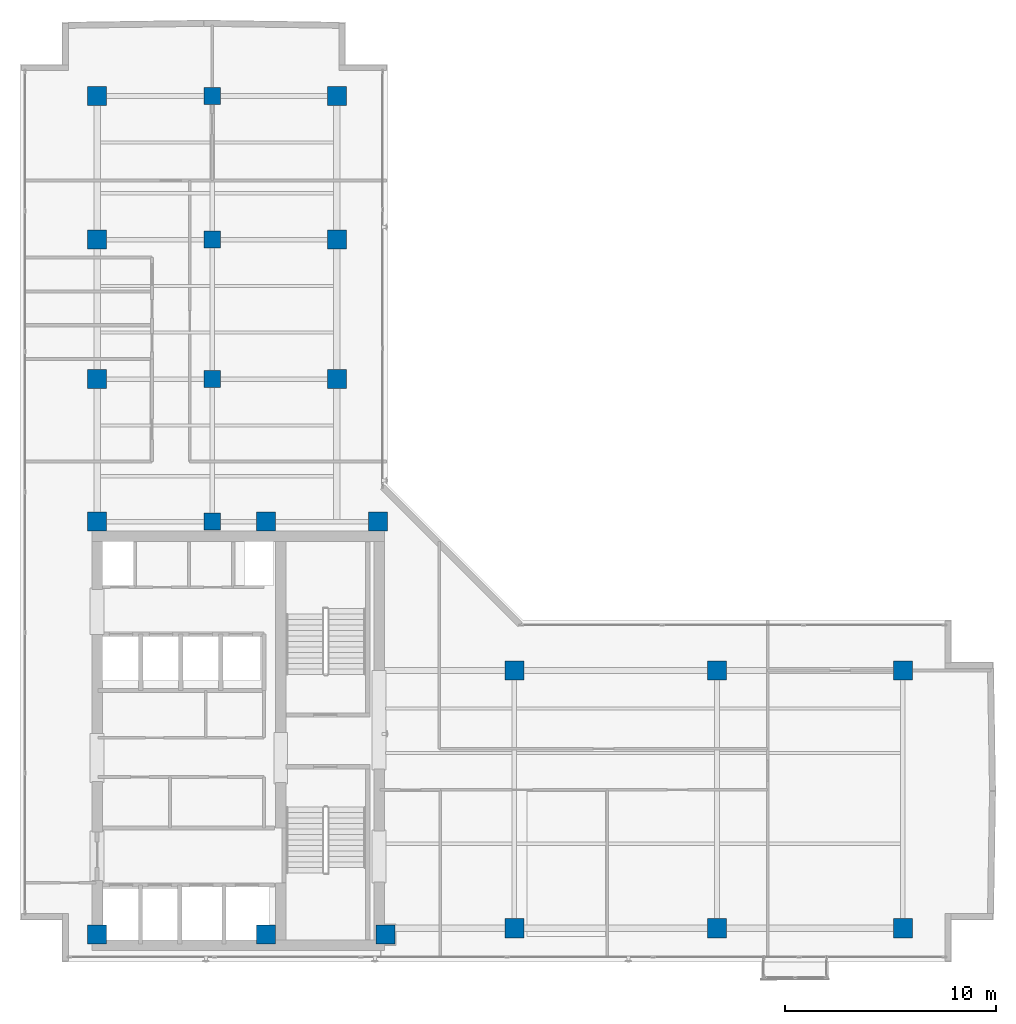
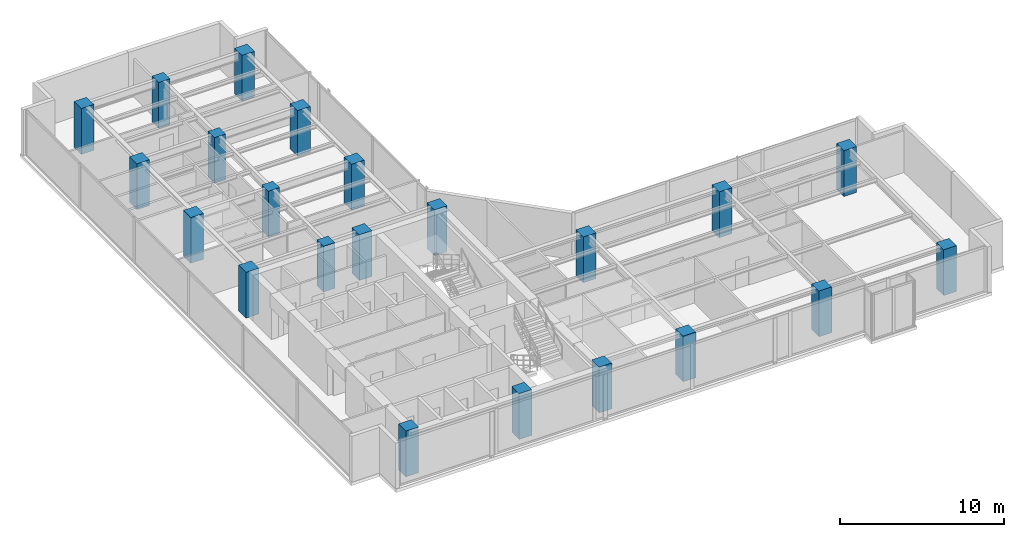
# One storey, part 1 of 23: 22 columns.
"""IFC4 building model written with IfcOpenShell, lengths in metres."""

from ifc_helpers import new_model, si_unit, direction, frame, origin, origin_2d, place, context, subcontext, project, spatial, rectangle, extrude, material, material_profile, profile_set, type_object, element, save


model = new_model("IFC4")

# Units and contexts
model_context = context("Model", 3, precision=1e-05, world=origin(), true_north=direction((0.0, 1.0)))
body_context = subcontext(model_context, "Body", "Model", "MODEL_VIEW")
ifc_project = project(units=[si_unit("LENGTHUNIT", "METRE"), si_unit("AREAUNIT", "SQUARE_METRE"), si_unit("VOLUMEUNIT", "CUBIC_METRE"), si_unit("PLANEANGLEUNIT", "RADIAN"), si_unit("MASSUNIT", "GRAM", prefix="KILO")], contexts=[model_context])

# Site, building, storey
site_placement = place(None, origin())
site = spatial("IfcSite", under=ifc_project, at=site_placement, CompositionType="ELEMENT")
building_placement = place(site_placement, origin())
building = spatial("IfcBuilding", under=site, at=building_placement, Name="Kolvaren Waterfront Exchange", CompositionType="ELEMENT")
storey_placement = place(building_placement, frame((0.0, 0.0, 335.0)))
storey = spatial("IfcBuildingStorey", under=building, at=storey_placement, Name="L86", CompositionType="ELEMENT", Elevation=335.0)

# Columns
ifc_material = material(Name="Concrete C50/60", Category="concrete")
ifc_material_profile_1 = material_profile(ifc_material, rectangle(XDim=0.800048828125, YDim=0.800048828125, at=origin_2d()), Name="RC-COL-800x800")
ifc_profile_set_1 = profile_set([ifc_material_profile_1], Name="Concrete C50/60")
column_type_1 = type_object("IfcColumnType", Name="STR-COL-800-C50", PredefinedType="COLUMN", material=ifc_profile_set_1)
for number, where, z_axis, x_axis, name in (
    (1, (12.89990234375, 24.449951171875, 0.0), (0.0, 0.0, 1.0), (1.0, 0.0, 0.0), "L86 column TC01"),
    (2, (12.89990234375, 31.199951171875, 0.0), (0.0, 0.0, 1.0), (1.0, 0.0, 0.0), "L86 column TC02"),
    (3, (12.89990234375, 37.800048828125, 0.0), (0.0, 0.0, 1.0), (1.0, 0.0, 0.0), "L86 column TC03"),
    (4, (12.89990234375, 44.60009765625, 0.0), (0.0, 0.0, 1.0), (1.0, 0.0, 0.0), "L86 column TC04"),
):
    element("IfcColumn", number, at=place(storey_placement, frame(where, z_axis=z_axis, x_axis=x_axis)), inside=storey, type_object=column_type_1, Name=name, PredefinedType="COLUMN", context=body_context, shape_type="SweptSolid", body=[
        extrude(rectangle(XDim=0.800048828125, YDim=0.800048828125, at=origin_2d()), origin(), (0.0, 0.0, 1.0), 3.419921875),
    ])
ifc_material_profile_2 = material_profile(ifc_material, rectangle(XDim=0.89990234375, YDim=0.89990234375, at=origin_2d()), Name="RC-COL-900x900")
ifc_profile_set_2 = profile_set([ifc_material_profile_2], Name="Concrete C50/60")
column_type_2 = type_object("IfcColumnType", Name="STR-COL-900-C50", PredefinedType="COLUMN", material=ifc_profile_set_2)
for number, where, z_axis, x_axis, name in (
    (5, (7.449951171875, 4.89990234375, 0.0), (0.0, 0.0, 1.0), (1.0, 0.0, 0.0), "L86 column MC01"),
    (6, (15.449951171875, 4.89990234375, 0.0), (0.0, 0.0, 1.0), (1.0, 0.0, 0.0), "L86 column MC02"),
    (7, (21.10009765625, 4.89990234375, 0.0), (0.0, 0.0, 1.0), (1.0, 0.0, 0.0), "L86 column MC03"),
    (8, (7.449951171875, 24.449951171875, 0.0), (0.0, 0.0, 1.0), (1.0, 0.0, 0.0), "L86 column MC04"),
    (9, (15.449951171875, 24.449951171875, 0.0), (0.0, 0.0, 1.0), (1.0, 0.0, 0.0), "L86 column MC05"),
    (10, (20.75, 24.449951171875, 0.0), (0.0, 0.0, 1.0), (1.0, 0.0, 0.0), "L86 column MC06"),
    (11, (7.449951171875, 31.199951171875, 0.0), (0.0, 0.0, 1.0), (1.0, 0.0, 0.0), "L86 column NC01"),
    (12, (7.449951171875, 37.800048828125, 0.0), (0.0, 0.0, 1.0), (1.0, 0.0, 0.0), "L86 column NC02"),
    (13, (7.449951171875, 44.60009765625, 0.0), (0.0, 0.0, 1.0), (1.0, 0.0, 0.0), "L86 column NC03"),
    (14, (18.800048828125, 31.199951171875, 0.0), (0.0, 0.0, 1.0), (1.0, 0.0, 0.0), "L86 column NC04"),
    (15, (18.800048828125, 37.800048828125, 0.0), (0.0, 0.0, 1.0), (1.0, 0.0, 0.0), "L86 column NC05"),
    (16, (18.800048828125, 44.60009765625, 0.0), (0.0, 0.0, 1.0), (1.0, 0.0, 0.0), "L86 column NC06"),
    (17, (27.199951171875, 5.199951171875, 0.0), (0.0, 0.0, 1.0), (1.0, 0.0, 0.0), "L86 column EC01"),
    (18, (36.800048828125, 5.199951171875, 0.0), (0.0, 0.0, 1.0), (1.0, 0.0, 0.0), "L86 column EC02"),
    (19, (45.60009765625, 5.199951171875, 0.0), (0.0, 0.0, 1.0), (1.0, 0.0, 0.0), "L86 column EC03"),
    (20, (27.199951171875, 17.39990234375, 0.0), (0.0, 0.0, 1.0), (1.0, 0.0, 0.0), "L86 column EC04"),
    (21, (36.800048828125, 17.39990234375, 0.0), (0.0, 0.0, 1.0), (1.0, 0.0, 0.0), "L86 column EC05"),
    (22, (45.60009765625, 17.39990234375, 0.0), (0.0, 0.0, 1.0), (1.0, 0.0, 0.0), "L86 column EC06"),
):
    element("IfcColumn", number, at=place(storey_placement, frame(where, z_axis=z_axis, x_axis=x_axis)), inside=storey, type_object=column_type_2, Name=name, PredefinedType="COLUMN", context=body_context, shape_type="SweptSolid", body=[
        extrude(rectangle(XDim=0.89990234375, YDim=0.89990234375, at=origin_2d()), origin(), (0.0, 0.0, 1.0), 3.419921875),
    ])

save(model, "model.ifc")
